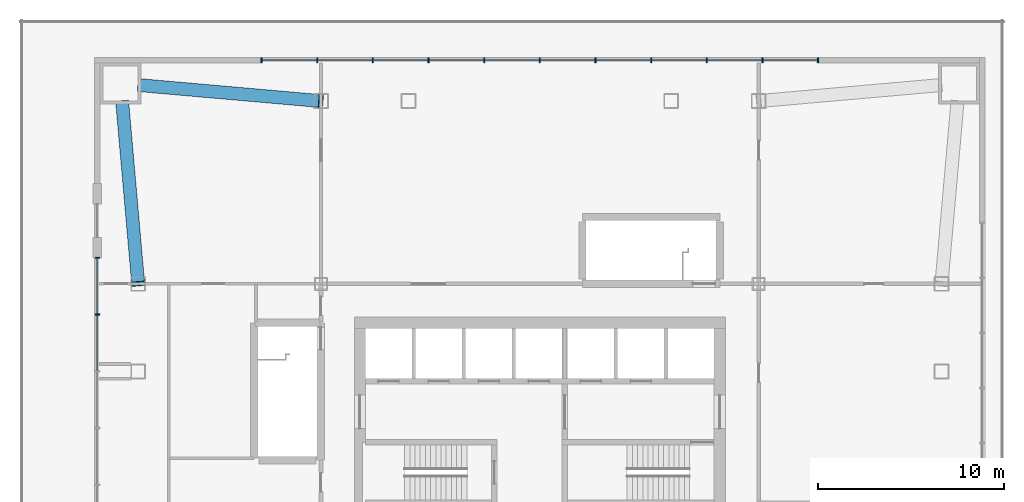
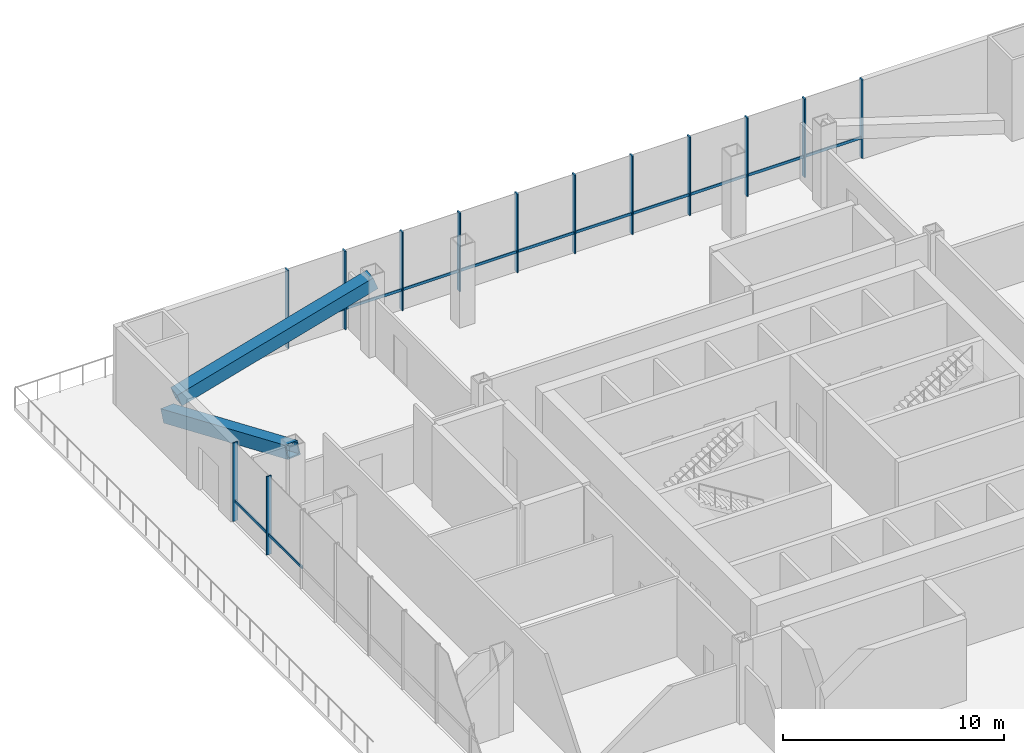
# One storey, part 4 of 15: 27 members, 2 elements without a shape of their own.
"""IFC4 building model written with IfcOpenShell, lengths in metres."""

from ifc_helpers import new_model, si_unit, direction, frame, origin, origin_2d, place, context, subcontext, project, spatial, rectangle, hollow_rectangle, extrude, material, material_profile, profile_set, type_object, element, aggregate, save


model = new_model("IFC4")

# Units and contexts
model_context = context("Model", 3, precision=1e-05, world=origin(), true_north=direction((0.0, 1.0)))
body_context = subcontext(model_context, "Body", "Model", "MODEL_VIEW")
ifc_project = project(units=[si_unit("LENGTHUNIT", "METRE"), si_unit("AREAUNIT", "SQUARE_METRE"), si_unit("VOLUMEUNIT", "CUBIC_METRE"), si_unit("PLANEANGLEUNIT", "RADIAN"), si_unit("MASSUNIT", "GRAM", prefix="KILO")], contexts=[model_context])

# Site, building, storey
site_placement = place(None, origin())
site = spatial("IfcSite", under=ifc_project, at=site_placement, CompositionType="ELEMENT")
building_placement = place(site_placement, origin())
building = spatial("IfcBuilding", under=site, at=building_placement, Name="Turquesa Mirador Hotel Tower", CompositionType="ELEMENT")
storey_placement = place(building_placement, frame((0.0, 0.0, 20.5)))
storey = spatial("IfcBuildingStorey", under=building, at=storey_placement, Name="L04", CompositionType="ELEMENT", Elevation=20.5)

# Curtain wall, members
ifc_material_1 = material(Name="Aluminium extrusion", Category="aluminium")
curtain_wall_type = type_object("IfcCurtainWallType", Name="CW-3 PODIUM UPPER CURTAIN WALL", PredefinedType="USERDEFINED", material=ifc_material_1)
curtain_wall_1_placement = place(storey_placement, origin())
curtain_wall_1 = element("IfcCurtainWall", 1, at=curtain_wall_1_placement, inside=storey, type_object=curtain_wall_type, Name="CW-3 PODIUM UPPER CURTAIN WALL L04", ObjectType="CURTAIN WALL", PredefinedType="USERDEFINED")
ifc_material_2 = material(Name="Aluminium extrusion", Category="aluminium")
ifc_material_profile_1 = material_profile(ifc_material_2, rectangle(XDim=0.06494140625, YDim=0.25, at=origin_2d()), Name="MULLION 65X250")
ifc_profile_set_1 = profile_set([ifc_material_profile_1], Name="Aluminium extrusion")
member_type_1 = type_object("IfcMemberType", Name="CW MULLION 65X250", PredefinedType="MULLION", material=ifc_profile_set_1)
member_1_placement = place(storey_placement, frame((70.0, 68.85009765625, 0.0), z_axis=(0.0, 0.0, 1.0), x_axis=(-1.0, 0.0, 0.0)))
member_1 = element("IfcMember", 2, at=member_1_placement, type_object=member_type_1, Name="Mullion", PredefinedType="MULLION", context=body_context, shape_type="SweptSolid", body=[
    extrude(rectangle(XDim=0.06494140625, YDim=0.25, at=origin_2d()), origin(), (0.0, 0.0, 1.0), 4.330078125),
])
member_2_placement = place(storey_placement, frame((67.0, 68.85009765625, 0.0), z_axis=(0.0, 0.0, 1.0), x_axis=(-1.0, 0.0, 0.0)))
member_2 = element("IfcMember", 3, at=member_2_placement, type_object=member_type_1, Name="Mullion", PredefinedType="MULLION", context=body_context, shape_type="SweptSolid", body=[
    extrude(rectangle(XDim=0.06494140625, YDim=0.25, at=origin_2d()), origin(), (0.0, 0.0, 1.0), 4.330078125),
])
member_3_placement = place(storey_placement, frame((64.0, 68.85009765625, 0.0), z_axis=(0.0, 0.0, 1.0), x_axis=(-1.0, 0.0, 0.0)))
member_3 = element("IfcMember", 4, at=member_3_placement, type_object=member_type_1, Name="Mullion", PredefinedType="MULLION", context=body_context, shape_type="SweptSolid", body=[
    extrude(rectangle(XDim=0.06494140625, YDim=0.25, at=origin_2d()), origin(), (0.0, 0.0, 1.0), 4.330078125),
])
member_4_placement = place(storey_placement, frame((61.0, 68.85009765625, 0.0), z_axis=(0.0, 0.0, 1.0), x_axis=(-1.0, 0.0, 0.0)))
member_4 = element("IfcMember", 5, at=member_4_placement, type_object=member_type_1, Name="Mullion", PredefinedType="MULLION", context=body_context, shape_type="SweptSolid", body=[
    extrude(rectangle(XDim=0.06494140625, YDim=0.25, at=origin_2d()), origin(), (0.0, 0.0, 1.0), 4.330078125),
])
member_5_placement = place(storey_placement, frame((58.0, 68.85009765625, 0.0), z_axis=(0.0, 0.0, 1.0), x_axis=(-1.0, 0.0, 0.0)))
member_5 = element("IfcMember", 6, at=member_5_placement, type_object=member_type_1, Name="Mullion", PredefinedType="MULLION", context=body_context, shape_type="SweptSolid", body=[
    extrude(rectangle(XDim=0.06494140625, YDim=0.25, at=origin_2d()), origin(), (0.0, 0.0, 1.0), 4.330078125),
])
member_6_placement = place(storey_placement, frame((55.0, 68.85009765625, 0.0), z_axis=(0.0, 0.0, 1.0), x_axis=(-1.0, 0.0, 0.0)))
member_6 = element("IfcMember", 7, at=member_6_placement, type_object=member_type_1, Name="Mullion", PredefinedType="MULLION", context=body_context, shape_type="SweptSolid", body=[
    extrude(rectangle(XDim=0.06494140625, YDim=0.25, at=origin_2d()), origin(), (0.0, 0.0, 1.0), 4.330078125),
])
member_7_placement = place(storey_placement, frame((52.0, 68.85009765625, 0.0), z_axis=(0.0, 0.0, 1.0), x_axis=(-1.0, 0.0, 0.0)))
member_7 = element("IfcMember", 8, at=member_7_placement, type_object=member_type_1, Name="Mullion", PredefinedType="MULLION", context=body_context, shape_type="SweptSolid", body=[
    extrude(rectangle(XDim=0.06494140625, YDim=0.25, at=origin_2d()), origin(), (0.0, 0.0, 1.0), 4.330078125),
])
member_8_placement = place(storey_placement, frame((49.0, 68.85009765625, 0.0), z_axis=(0.0, 0.0, 1.0), x_axis=(-1.0, 0.0, 0.0)))
member_8 = element("IfcMember", 9, at=member_8_placement, type_object=member_type_1, Name="Mullion", PredefinedType="MULLION", context=body_context, shape_type="SweptSolid", body=[
    extrude(rectangle(XDim=0.06494140625, YDim=0.25, at=origin_2d()), origin(), (0.0, 0.0, 1.0), 4.330078125),
])
member_9_placement = place(storey_placement, frame((46.0, 68.85009765625, 0.0), z_axis=(0.0, 0.0, 1.0), x_axis=(-1.0, 0.0, 0.0)))
member_9 = element("IfcMember", 10, at=member_9_placement, type_object=member_type_1, Name="Mullion", PredefinedType="MULLION", context=body_context, shape_type="SweptSolid", body=[
    extrude(rectangle(XDim=0.06494140625, YDim=0.25, at=origin_2d()), origin(), (0.0, 0.0, 1.0), 4.330078125),
])
member_10_placement = place(storey_placement, frame((43.0, 68.85009765625, 0.0), z_axis=(0.0, 0.0, 1.0), x_axis=(-1.0, 0.0, 0.0)))
member_10 = element("IfcMember", 11, at=member_10_placement, type_object=member_type_1, Name="Mullion", PredefinedType="MULLION", context=body_context, shape_type="SweptSolid", body=[
    extrude(rectangle(XDim=0.06494140625, YDim=0.25, at=origin_2d()), origin(), (0.0, 0.0, 1.0), 4.330078125),
])
member_11_placement = place(storey_placement, frame((40.0, 68.85009765625, 0.0), z_axis=(0.0, 0.0, 1.0), x_axis=(-1.0, 0.0, 0.0)))
member_11 = element("IfcMember", 12, at=member_11_placement, type_object=member_type_1, Name="Mullion", PredefinedType="MULLION", context=body_context, shape_type="SweptSolid", body=[
    extrude(rectangle(XDim=0.06494140625, YDim=0.25, at=origin_2d()), origin(), (0.0, 0.0, 1.0), 4.330078125),
])

curtain_wall_2_placement = place(storey_placement, origin())
curtain_wall_2 = element("IfcCurtainWall", 13, at=curtain_wall_2_placement, inside=storey, type_object=curtain_wall_type, Name="CW-3 PODIUM UPPER CURTAIN WALL L04", ObjectType="CURTAIN WALL", PredefinedType="USERDEFINED")
member_12_placement = place(storey_placement, frame((31.14990234375, 58.199951171875, 0.0), z_axis=(0.0, 0.0, 1.0), x_axis=(0.0, -1.0, 0.0)))
member_12 = element("IfcMember", 14, at=member_12_placement, type_object=member_type_1, Name="Mullion", PredefinedType="MULLION", context=body_context, shape_type="SweptSolid", body=[
    extrude(rectangle(XDim=0.06494140625, YDim=0.25, at=origin_2d()), origin(), (0.0, 0.0, 1.0), 4.330078125),
])
member_13_placement = place(storey_placement, frame((31.14990234375, 55.1416015625, 0.0), z_axis=(0.0, 0.0, 1.0), x_axis=(0.0, -1.0, 0.0)))
member_13 = element("IfcMember", 15, at=member_13_placement, type_object=member_type_1, Name="Mullion", PredefinedType="MULLION", context=body_context, shape_type="SweptSolid", body=[
    extrude(rectangle(XDim=0.06494140625, YDim=0.25, at=origin_2d()), origin(), (0.0, 0.0, 1.0), 4.330078125),
])

# Member
ifc_material_3 = material(Name="Aluminium extrusion", Category="aluminium")
ifc_material_profile_2 = material_profile(ifc_material_3, rectangle(XDim=0.06494140625, YDim=0.14990234375, at=origin_2d()), Name="TRANSOM 65X150")
ifc_profile_set_2 = profile_set([ifc_material_profile_2], Name="Aluminium extrusion")
member_type_2 = type_object("IfcMemberType", Name="CW TRANSOM 65X150", PredefinedType="USERDEFINED", material=ifc_profile_set_2)
member_14_placement = place(storey_placement, frame((69.967529296875, 68.85009765625, 1.10009765625), z_axis=(-1.0, 0.0, 0.0), x_axis=(0.0, -1.0, 0.0)))
member_14 = element("IfcMember", 16, at=member_14_placement, type_object=member_type_2, Name="Transom", ObjectType="TRANSOM", PredefinedType="USERDEFINED", context=body_context, shape_type="SweptSolid", body=[
    extrude(rectangle(XDim=0.06494140625, YDim=0.14990234375, at=origin_2d()), origin(), (0.0, 0.0, 1.0), 2.93505859375),
])

member_15_placement = place(storey_placement, frame((66.967529296875, 68.85009765625, 1.10009765625), z_axis=(-1.0, 0.0, 0.0), x_axis=(0.0, -1.0, 0.0)))
member_15 = element("IfcMember", 17, at=member_15_placement, type_object=member_type_2, Name="Transom", ObjectType="TRANSOM", PredefinedType="USERDEFINED", context=body_context, shape_type="SweptSolid", body=[
    extrude(rectangle(XDim=0.06494140625, YDim=0.14990234375, at=origin_2d()), origin(), (0.0, 0.0, 1.0), 2.93505859375),
])

member_16_placement = place(storey_placement, frame((63.967529296875, 68.85009765625, 1.10009765625), z_axis=(-1.0, 0.0, 0.0), x_axis=(0.0, -1.0, 0.0)))
member_16 = element("IfcMember", 18, at=member_16_placement, type_object=member_type_2, Name="Transom", ObjectType="TRANSOM", PredefinedType="USERDEFINED", context=body_context, shape_type="SweptSolid", body=[
    extrude(rectangle(XDim=0.06494140625, YDim=0.14990234375, at=origin_2d()), origin(), (0.0, 0.0, 1.0), 2.93505859375),
])

member_17_placement = place(storey_placement, frame((60.967529296875, 68.85009765625, 1.10009765625), z_axis=(-1.0, 0.0, 0.0), x_axis=(0.0, -1.0, 0.0)))
member_17 = element("IfcMember", 19, at=member_17_placement, type_object=member_type_2, Name="Transom", ObjectType="TRANSOM", PredefinedType="USERDEFINED", context=body_context, shape_type="SweptSolid", body=[
    extrude(rectangle(XDim=0.06494140625, YDim=0.14990234375, at=origin_2d()), origin(), (0.0, 0.0, 1.0), 2.93505859375),
])

member_18_placement = place(storey_placement, frame((57.967529296875, 68.85009765625, 1.10009765625), z_axis=(-1.0, 0.0, 0.0), x_axis=(0.0, -1.0, 0.0)))
member_18 = element("IfcMember", 20, at=member_18_placement, type_object=member_type_2, Name="Transom", ObjectType="TRANSOM", PredefinedType="USERDEFINED", context=body_context, shape_type="SweptSolid", body=[
    extrude(rectangle(XDim=0.06494140625, YDim=0.14990234375, at=origin_2d()), origin(), (0.0, 0.0, 1.0), 2.93505859375),
])

member_19_placement = place(storey_placement, frame((54.967529296875, 68.85009765625, 1.10009765625), z_axis=(-1.0, 0.0, 0.0), x_axis=(0.0, -1.0, 0.0)))
member_19 = element("IfcMember", 21, at=member_19_placement, type_object=member_type_2, Name="Transom", ObjectType="TRANSOM", PredefinedType="USERDEFINED", context=body_context, shape_type="SweptSolid", body=[
    extrude(rectangle(XDim=0.06494140625, YDim=0.14990234375, at=origin_2d()), origin(), (0.0, 0.0, 1.0), 2.93505859375),
])

member_20_placement = place(storey_placement, frame((51.967529296875, 68.85009765625, 1.10009765625), z_axis=(-1.0, 0.0, 0.0), x_axis=(0.0, -1.0, 0.0)))
member_20 = element("IfcMember", 22, at=member_20_placement, type_object=member_type_2, Name="Transom", ObjectType="TRANSOM", PredefinedType="USERDEFINED", context=body_context, shape_type="SweptSolid", body=[
    extrude(rectangle(XDim=0.06494140625, YDim=0.14990234375, at=origin_2d()), origin(), (0.0, 0.0, 1.0), 2.93505859375),
])

member_21_placement = place(storey_placement, frame((48.967529296875, 68.85009765625, 1.10009765625), z_axis=(-1.0, 0.0, 0.0), x_axis=(0.0, -1.0, 0.0)))
member_21 = element("IfcMember", 23, at=member_21_placement, type_object=member_type_2, Name="Transom", ObjectType="TRANSOM", PredefinedType="USERDEFINED", context=body_context, shape_type="SweptSolid", body=[
    extrude(rectangle(XDim=0.06494140625, YDim=0.14990234375, at=origin_2d()), origin(), (0.0, 0.0, 1.0), 2.93505859375),
])

member_22_placement = place(storey_placement, frame((45.967529296875, 68.85009765625, 1.10009765625), z_axis=(-1.0, 0.0, 0.0), x_axis=(0.0, -1.0, 0.0)))
member_22 = element("IfcMember", 24, at=member_22_placement, type_object=member_type_2, Name="Transom", ObjectType="TRANSOM", PredefinedType="USERDEFINED", context=body_context, shape_type="SweptSolid", body=[
    extrude(rectangle(XDim=0.06494140625, YDim=0.14990234375, at=origin_2d()), origin(), (0.0, 0.0, 1.0), 2.93505859375),
])

member_23_placement = place(storey_placement, frame((42.967529296875, 68.85009765625, 1.10009765625), z_axis=(-1.0, 0.0, 0.0), x_axis=(0.0, -1.0, 0.0)))
member_23 = element("IfcMember", 25, at=member_23_placement, type_object=member_type_2, Name="Transom", ObjectType="TRANSOM", PredefinedType="USERDEFINED", context=body_context, shape_type="SweptSolid", body=[
    extrude(rectangle(XDim=0.06494140625, YDim=0.14990234375, at=origin_2d()), origin(), (0.0, 0.0, 1.0), 2.93505859375),
])

aggregate(curtain_wall_1, [member_1, member_2, member_3, member_4, member_5, member_6, member_7, member_8, member_9, member_10, member_11, member_14, member_15, member_16, member_17, member_18, member_19, member_20, member_21, member_22, member_23])

member_24_placement = place(storey_placement, frame((31.14990234375, 58.16748046875, 1.10009765625), z_axis=(0.0, -1.0, 0.0), x_axis=(1.0, 0.0, 0.0)))
member_24 = element("IfcMember", 26, at=member_24_placement, type_object=member_type_2, Name="Transom", ObjectType="TRANSOM", PredefinedType="USERDEFINED", context=body_context, shape_type="SweptSolid", body=[
    extrude(rectangle(XDim=0.06494140625, YDim=0.14990234375, at=origin_2d()), origin(), (0.0, 0.0, 1.0), 2.993408203125),
])

member_25_placement = place(storey_placement, frame((31.14990234375, 55.109130859375, 1.10009765625), z_axis=(0.0, -1.0, 0.0), x_axis=(1.0, 0.0, 0.0)))
member_25 = element("IfcMember", 27, at=member_25_placement, type_object=member_type_2, Name="Transom", ObjectType="TRANSOM", PredefinedType="USERDEFINED", context=body_context, shape_type="SweptSolid", body=[
    extrude(rectangle(XDim=0.06494140625, YDim=0.14990234375, at=origin_2d()), origin(), (0.0, 0.0, 1.0), 2.993408203125),
])

aggregate(curtain_wall_2, [member_12, member_13, member_24, member_25])

# Members
ifc_material_4 = material(Name="Steel ASTM A572 Grade 50", Category="steel")
ifc_material_profile_3 = material_profile(ifc_material_4, hollow_rectangle(XDim=0.699951171875, YDim=0.699951171875, WallThickness=0.06005859375, at=origin_2d()), Name="BOX700X700X60")
ifc_profile_set_3 = profile_set([ifc_material_profile_3], Name="Steel ASTM A572 Grade 50")
member_type_3 = type_object("IfcMemberType", Name="PODIUM BRACE BOX700X700X60", PredefinedType="BRACE", material=ifc_profile_set_3)
for number, where, z_axis, x_axis, name in (
    (28, (33.449951171875, 67.507568359375, 0.386962890625), (0.935134607955, -0.082259812644, 0.344610777876), (0.087627369437, 0.996153323603, 0.0), "Podium brace N"),
    (29, (32.492431640625, 66.550048828125, 0.386962890625), (0.082259812644, -0.935134607955, 0.344610777876), (0.996153323603, 0.087627369437, 0.0), "Podium brace W"),
):
    element("IfcMember", number, at=place(storey_placement, frame(where, z_axis=z_axis, x_axis=x_axis)), inside=storey, type_object=member_type_3, Name=name, PredefinedType="BRACE", context=body_context, shape_type="SweptSolid", body=[
        extrude(hollow_rectangle(XDim=0.699951171875, YDim=0.699951171875, WallThickness=0.06005859375, at=origin_2d()), origin(), (0.0, 0.0, 1.0), 10.42626953125),
    ])

save(model, "model.ifc")
